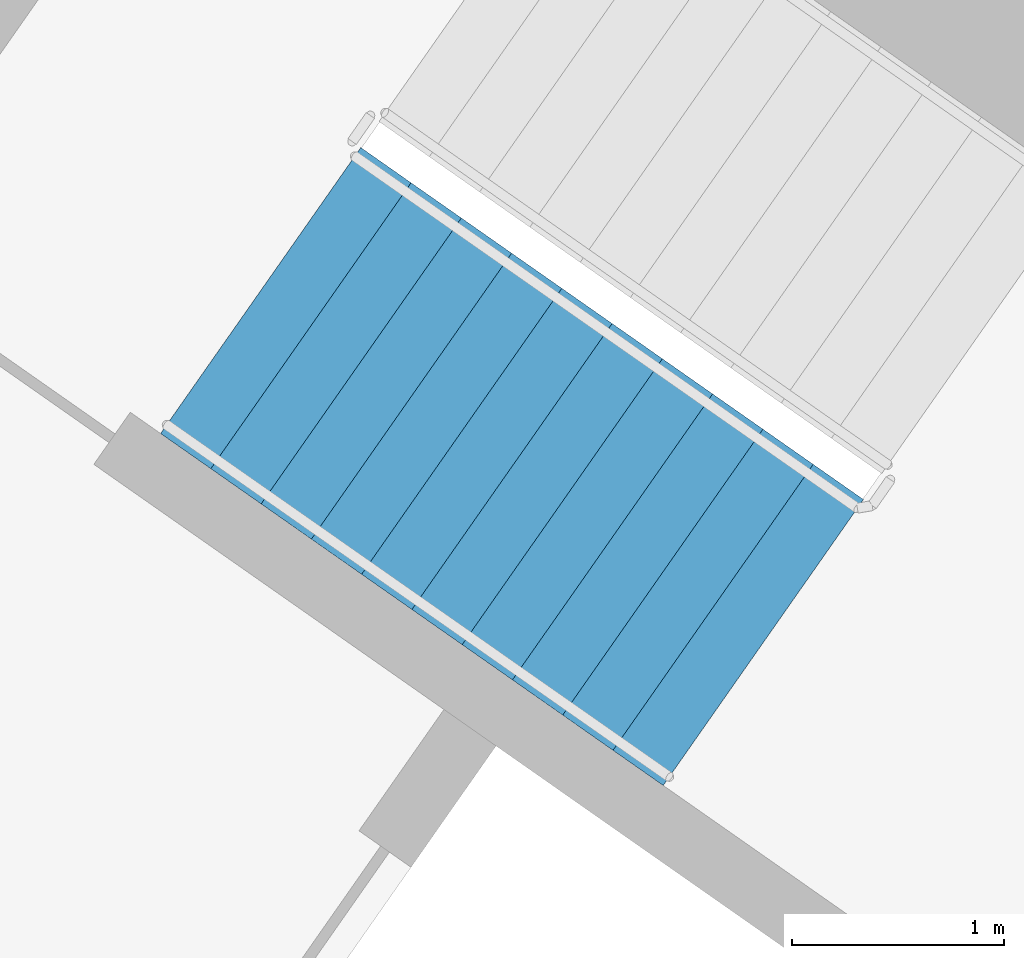
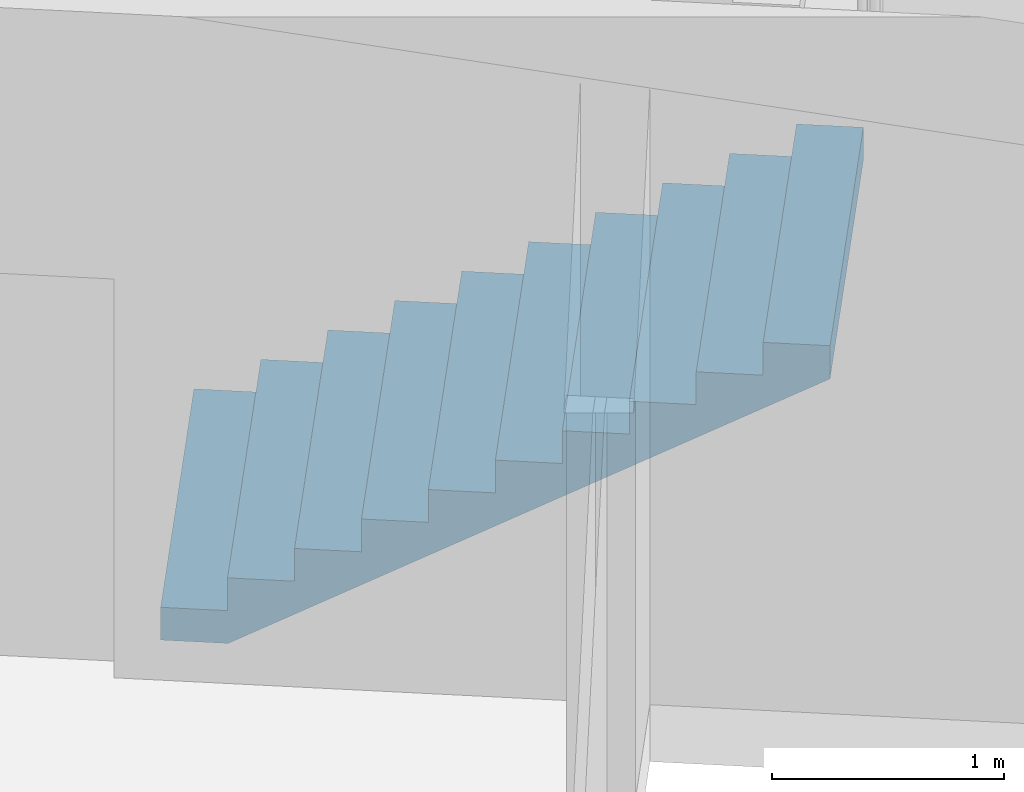
# One storey, part 12 of 31: 1 stair flight, 1 element without a shape of its own.
"""IFC4 building model written with IfcOpenShell, lengths in metres."""

from ifc_helpers import new_model, si_unit, direction, frame, origin, place, context, subcontext, project, spatial, faceted_brep, material, type_object, element, aggregate, save


model = new_model("IFC4")

# Units and contexts
model_context = context("Model", 3, precision=1e-05, world=origin(), true_north=direction((0.0, 1.0)))
body_context = subcontext(model_context, "Body", "Model", "MODEL_VIEW")
ifc_project = project(units=[si_unit("LENGTHUNIT", "METRE"), si_unit("AREAUNIT", "SQUARE_METRE"), si_unit("VOLUMEUNIT", "CUBIC_METRE"), si_unit("PLANEANGLEUNIT", "RADIAN"), si_unit("MASSUNIT", "GRAM", prefix="KILO")], contexts=[model_context])

# Site, building, storey
site_placement = place(None, origin())
site = spatial("IfcSite", under=ifc_project, at=site_placement, CompositionType="ELEMENT")
building_placement = place(site_placement, origin())
building = spatial("IfcBuilding", under=site, at=building_placement, Name="Qamariyya Broadcast Tower", CompositionType="ELEMENT")
storey_placement = place(building_placement, frame((0.0, 0.0, 51.89990234375)))
storey = spatial("IfcBuildingStorey", under=building, at=storey_placement, Name="L09", CompositionType="ELEMENT", Elevation=51.89990234375)

# Stair, stair flight
ifc_material = material(Name="Concrete C50/60", Category="concrete")
stair_type = type_object("IfcStairType", Name="Exit stair 22 risers of 173 mm", PredefinedType="HALF_TURN_STAIR", material=ifc_material)
stair_placement = place(storey_placement, origin())
stair = element("IfcStair", 1, at=stair_placement, inside=storey, type_object=stair_type, Name="L09 Stair W2", PredefinedType="HALF_TURN_STAIR")
stair_flight_type = type_object("IfcStairFlightType", Name="Exit stair flight 11 risers of 173 mm", PredefinedType="STRAIGHT", material=ifc_material)
stair_flight_placement = place(storey_placement, frame((-41.59130859375, -49.15966796875, 0.0), z_axis=(0.0, 0.0, 1.0), x_axis=(0.819152044289, -0.573576436351, 0.0)))
stair_flight = element("IfcStairFlight", 2, at=stair_flight_placement, type_object=stair_flight_type, Name="ST-W2 flight 1", NumberOfRisers=11, NumberOfTreads=10, PredefinedType="STRAIGHT", RiserHeight=0.172727273, TreadLength=0.29, context=body_context, shape_type="Brep", body=[
    faceted_brep([(0.0, 0.824951171875, 0.0), (0.0, 0.824951171875, 0.172607421875), (0.2900390625, 0.824951171875, 0.172607421875), (0.2900390625, 0.824951171875, 0.345458984375), (0.580078125, 0.824951171875, 0.345458984375), (0.580078125, 0.824951171875, 0.51806640625), (0.8701171875, 0.824951171875, 0.51806640625), (0.8701171875, 0.824951171875, 0.69091796875), (1.159912109375, 0.824951171875, 0.69091796875), (1.159912109375, 0.824951171875, 0.863525390625), (1.449951171875, 0.824951171875, 0.863525390625), (1.449951171875, 0.824951171875, 1.036376953125), (1.739990234375, 0.824951171875, 1.036376953125), (1.739990234375, 0.824951171875, 1.208984375), (2.030029296875, 0.824951171875, 1.208984375), (2.030029296875, 0.824951171875, 1.3818359375), (2.320068359375, 0.824951171875, 1.3818359375), (2.320068359375, 0.824951171875, 1.554443359375), (2.610107421875, 0.824951171875, 1.554443359375), (2.610107421875, 0.824951171875, 1.727294921875), (2.89990234375, 0.824951171875, 1.727294921875), (2.89990234375, 0.824951171875, 1.552734375), (0.29296875, 0.824951171875, 0.0), (0.29296875, -0.824951171875, 0.0), (2.89990234375, -0.824951171875, 1.552734375), (2.89990234375, -0.824951171875, 1.727294921875), (2.610107421875, -0.824951171875, 1.727294921875), (2.610107421875, -0.824951171875, 1.554443359375), (2.320068359375, -0.824951171875, 1.554443359375), (2.320068359375, -0.824951171875, 1.3818359375), (2.030029296875, -0.824951171875, 1.3818359375), (2.030029296875, -0.824951171875, 1.208984375), (1.739990234375, -0.824951171875, 1.208984375), (1.739990234375, -0.824951171875, 1.036376953125), (1.449951171875, -0.824951171875, 1.036376953125), (1.449951171875, -0.824951171875, 0.863525390625), (1.159912109375, -0.824951171875, 0.863525390625), (1.159912109375, -0.824951171875, 0.69091796875), (0.8701171875, -0.824951171875, 0.69091796875), (0.8701171875, -0.824951171875, 0.51806640625), (0.580078125, -0.824951171875, 0.51806640625), (0.580078125, -0.824951171875, 0.345458984375), (0.2900390625, -0.824951171875, 0.345458984375), (0.2900390625, -0.824951171875, 0.172607421875), (0.0, -0.824951171875, 0.172607421875), (0.0, -0.824951171875, 0.0), (0.0, 0.10009765625, 0.0), (0.0, 0.086669921875, 0.0), (0.0, 0.0732421875, 0.0), (0.0, 0.06005859375, 0.0), (0.0, 0.046630859375, 0.0), (0.0, 0.033447265625, 0.0), (0.0, 0.02001953125, 0.0), (0.0, 0.006591796875, 0.0), (0.0, -0.006591796875, 0.0), (0.0, -0.02001953125, 0.0), (0.0, -0.033447265625, 0.0), (0.0, -0.046630859375, 0.0), (0.0, -0.06005859375, 0.0), (0.0, -0.0732421875, 0.0), (0.0, -0.086669921875, 0.0), (0.0, -0.10009765625, 0.0), (0.0, -0.10009765625, 0.172607421875), (0.0, -0.086669921875, 0.172607421875), (0.0, -0.0732421875, 0.172607421875), (0.0, -0.06005859375, 0.172607421875), (0.0, -0.046630859375, 0.172607421875), (0.0, -0.033447265625, 0.172607421875), (0.0, -0.02001953125, 0.172607421875), (0.0, -0.006591796875, 0.172607421875), (0.0, 0.006591796875, 0.172607421875), (0.0, 0.02001953125, 0.172607421875), (0.0, 0.033447265625, 0.172607421875), (0.0, 0.046630859375, 0.172607421875), (0.0, 0.06005859375, 0.172607421875), (0.0, 0.0732421875, 0.172607421875), (0.0, 0.086669921875, 0.172607421875), (0.0, 0.10009765625, 0.172607421875), (0.2900390625, -0.10009765625, 0.172607421875), (0.2900390625, -0.086669921875, 0.172607421875), (0.2900390625, -0.0732421875, 0.172607421875), (0.2900390625, -0.06005859375, 0.172607421875), (0.2900390625, -0.046630859375, 0.172607421875), (0.2900390625, -0.033447265625, 0.172607421875), (0.2900390625, -0.02001953125, 0.172607421875), (0.2900390625, -0.006591796875, 0.172607421875), (0.2900390625, 0.006591796875, 0.172607421875), (0.2900390625, 0.02001953125, 0.172607421875), (0.2900390625, 0.033447265625, 0.172607421875), (0.2900390625, 0.046630859375, 0.172607421875), (0.2900390625, 0.06005859375, 0.172607421875), (0.2900390625, 0.0732421875, 0.172607421875), (0.2900390625, 0.086669921875, 0.172607421875), (0.2900390625, 0.10009765625, 0.172607421875), (0.2900390625, -0.10009765625, 0.345458984375), (0.2900390625, -0.086669921875, 0.345458984375), (0.2900390625, -0.0732421875, 0.345458984375), (0.2900390625, -0.06005859375, 0.345458984375), (0.2900390625, -0.046630859375, 0.345458984375), (0.2900390625, -0.033447265625, 0.345458984375), (0.2900390625, -0.02001953125, 0.345458984375), (0.2900390625, -0.006591796875, 0.345458984375), (0.2900390625, 0.006591796875, 0.345458984375), (0.2900390625, 0.02001953125, 0.345458984375), (0.2900390625, 0.033447265625, 0.345458984375), (0.2900390625, 0.046630859375, 0.345458984375), (0.2900390625, 0.06005859375, 0.345458984375), (0.2900390625, 0.0732421875, 0.345458984375), (0.2900390625, 0.086669921875, 0.345458984375), (0.2900390625, 0.10009765625, 0.345458984375), (0.580078125, -0.10009765625, 0.345458984375), (0.580078125, -0.086669921875, 0.345458984375), (0.580078125, -0.0732421875, 0.345458984375), (0.580078125, -0.06005859375, 0.345458984375), (0.580078125, -0.046630859375, 0.345458984375), (0.580078125, -0.033447265625, 0.345458984375), (0.580078125, -0.02001953125, 0.345458984375), (0.580078125, -0.006591796875, 0.345458984375), (0.580078125, 0.006591796875, 0.345458984375), (0.580078125, 0.02001953125, 0.345458984375), (0.580078125, 0.033447265625, 0.345458984375), (0.580078125, 0.046630859375, 0.345458984375), (0.580078125, 0.06005859375, 0.345458984375), (0.580078125, 0.0732421875, 0.345458984375), (0.580078125, 0.086669921875, 0.345458984375), (0.580078125, 0.10009765625, 0.345458984375), (0.580078125, -0.10009765625, 0.51806640625), (0.580078125, -0.086669921875, 0.51806640625), (0.580078125, -0.0732421875, 0.51806640625), (0.580078125, -0.06005859375, 0.51806640625), (0.580078125, -0.046630859375, 0.51806640625), (0.580078125, -0.033447265625, 0.51806640625), (0.580078125, -0.02001953125, 0.51806640625), (0.580078125, -0.006591796875, 0.51806640625), (0.580078125, 0.006591796875, 0.51806640625), (0.580078125, 0.02001953125, 0.51806640625), (0.580078125, 0.033447265625, 0.51806640625), (0.580078125, 0.046630859375, 0.51806640625), (0.580078125, 0.06005859375, 0.51806640625), (0.580078125, 0.0732421875, 0.51806640625), (0.580078125, 0.086669921875, 0.51806640625), (0.580078125, 0.10009765625, 0.51806640625), (0.8701171875, -0.10009765625, 0.51806640625), (0.8701171875, -0.086669921875, 0.51806640625), (0.8701171875, -0.0732421875, 0.51806640625), (0.8701171875, -0.06005859375, 0.51806640625), (0.8701171875, -0.046630859375, 0.51806640625), (0.8701171875, -0.033447265625, 0.51806640625), (0.8701171875, -0.02001953125, 0.51806640625), (0.8701171875, -0.006591796875, 0.51806640625), (0.8701171875, 0.006591796875, 0.51806640625), (0.8701171875, 0.02001953125, 0.51806640625), (0.8701171875, 0.033447265625, 0.51806640625), (0.8701171875, 0.046630859375, 0.51806640625), (0.8701171875, 0.06005859375, 0.51806640625), (0.8701171875, 0.0732421875, 0.51806640625), (0.8701171875, 0.086669921875, 0.51806640625), (0.8701171875, 0.10009765625, 0.51806640625), (0.8701171875, -0.10009765625, 0.69091796875), (0.8701171875, -0.086669921875, 0.69091796875), (0.8701171875, -0.0732421875, 0.69091796875), (0.8701171875, -0.06005859375, 0.69091796875), (0.8701171875, -0.046630859375, 0.69091796875), (0.8701171875, -0.033447265625, 0.69091796875), (0.8701171875, -0.02001953125, 0.69091796875), (0.8701171875, -0.006591796875, 0.69091796875), (0.8701171875, 0.006591796875, 0.69091796875), (0.8701171875, 0.02001953125, 0.69091796875), (0.8701171875, 0.033447265625, 0.69091796875), (0.8701171875, 0.046630859375, 0.69091796875), (0.8701171875, 0.06005859375, 0.69091796875), (0.8701171875, 0.0732421875, 0.69091796875), (0.8701171875, 0.086669921875, 0.69091796875), (0.8701171875, 0.10009765625, 0.69091796875), (1.159912109375, -0.10009765625, 0.69091796875), (1.159912109375, -0.086669921875, 0.69091796875), (1.159912109375, -0.0732421875, 0.69091796875), (1.159912109375, -0.06005859375, 0.69091796875), (1.159912109375, -0.046630859375, 0.69091796875), (1.159912109375, -0.033447265625, 0.69091796875), (1.159912109375, -0.02001953125, 0.69091796875), (1.159912109375, -0.006591796875, 0.69091796875), (1.159912109375, 0.006591796875, 0.69091796875), (1.159912109375, 0.02001953125, 0.69091796875), (1.159912109375, 0.033447265625, 0.69091796875), (1.159912109375, 0.046630859375, 0.69091796875), (1.159912109375, 0.06005859375, 0.69091796875), (1.159912109375, 0.0732421875, 0.69091796875), (1.159912109375, 0.086669921875, 0.69091796875), (1.159912109375, 0.10009765625, 0.69091796875), (1.159912109375, -0.10009765625, 0.863525390625), (1.159912109375, -0.086669921875, 0.863525390625), (1.159912109375, -0.0732421875, 0.863525390625), (1.159912109375, -0.06005859375, 0.863525390625), (1.159912109375, -0.046630859375, 0.863525390625), (1.159912109375, -0.033447265625, 0.863525390625), (1.159912109375, -0.02001953125, 0.863525390625), (1.159912109375, -0.006591796875, 0.863525390625), (1.159912109375, 0.006591796875, 0.863525390625), (1.159912109375, 0.02001953125, 0.863525390625), (1.159912109375, 0.033447265625, 0.863525390625), (1.159912109375, 0.046630859375, 0.863525390625), (1.159912109375, 0.06005859375, 0.863525390625), (1.159912109375, 0.0732421875, 0.863525390625), (1.159912109375, 0.086669921875, 0.863525390625), (1.159912109375, 0.10009765625, 0.863525390625), (1.449951171875, -0.10009765625, 0.863525390625), (1.449951171875, -0.086669921875, 0.863525390625), (1.449951171875, -0.0732421875, 0.863525390625), (1.449951171875, -0.06005859375, 0.863525390625), (1.449951171875, -0.046630859375, 0.863525390625), (1.449951171875, -0.033447265625, 0.863525390625), (1.449951171875, -0.02001953125, 0.863525390625), (1.449951171875, -0.006591796875, 0.863525390625), (1.449951171875, 0.006591796875, 0.863525390625), (1.449951171875, 0.02001953125, 0.863525390625), (1.449951171875, 0.033447265625, 0.863525390625), (1.449951171875, 0.046630859375, 0.863525390625), (1.449951171875, 0.06005859375, 0.863525390625), (1.449951171875, 0.0732421875, 0.863525390625), (1.449951171875, 0.086669921875, 0.863525390625), (1.449951171875, 0.10009765625, 0.863525390625), (1.449951171875, -0.10009765625, 1.036376953125), (1.449951171875, -0.086669921875, 1.036376953125), (1.449951171875, -0.0732421875, 1.036376953125), (1.449951171875, -0.06005859375, 1.036376953125), (1.449951171875, -0.046630859375, 1.036376953125), (1.449951171875, -0.033447265625, 1.036376953125), (1.449951171875, -0.02001953125, 1.036376953125), (1.449951171875, -0.006591796875, 1.036376953125), (1.449951171875, 0.006591796875, 1.036376953125), (1.449951171875, 0.02001953125, 1.036376953125), (1.449951171875, 0.033447265625, 1.036376953125), (1.449951171875, 0.046630859375, 1.036376953125), (1.449951171875, 0.06005859375, 1.036376953125), (1.449951171875, 0.0732421875, 1.036376953125), (1.449951171875, 0.086669921875, 1.036376953125), (1.449951171875, 0.10009765625, 1.036376953125), (1.739990234375, -0.10009765625, 1.036376953125), (1.739990234375, -0.086669921875, 1.036376953125), (1.739990234375, -0.0732421875, 1.036376953125), (1.739990234375, -0.06005859375, 1.036376953125), (1.739990234375, -0.046630859375, 1.036376953125), (1.739990234375, -0.033447265625, 1.036376953125), (1.739990234375, -0.02001953125, 1.036376953125), (1.739990234375, -0.006591796875, 1.036376953125), (1.739990234375, 0.006591796875, 1.036376953125), (1.739990234375, 0.02001953125, 1.036376953125), (1.739990234375, 0.033447265625, 1.036376953125), (1.739990234375, 0.046630859375, 1.036376953125), (1.739990234375, 0.06005859375, 1.036376953125), (1.739990234375, 0.0732421875, 1.036376953125), (1.739990234375, 0.086669921875, 1.036376953125), (1.739990234375, 0.10009765625, 1.036376953125), (1.739990234375, -0.10009765625, 1.208984375), (1.739990234375, -0.086669921875, 1.208984375), (1.739990234375, -0.0732421875, 1.208984375), (1.739990234375, -0.06005859375, 1.208984375), (1.739990234375, -0.046630859375, 1.208984375), (1.739990234375, -0.033447265625, 1.208984375), (1.739990234375, -0.02001953125, 1.208984375), (1.739990234375, -0.006591796875, 1.208984375), (1.739990234375, 0.006591796875, 1.208984375), (1.739990234375, 0.02001953125, 1.208984375), (1.739990234375, 0.033447265625, 1.208984375), (1.739990234375, 0.046630859375, 1.208984375), (1.739990234375, 0.06005859375, 1.208984375), (1.739990234375, 0.0732421875, 1.208984375), (1.739990234375, 0.086669921875, 1.208984375), (1.739990234375, 0.10009765625, 1.208984375), (2.030029296875, -0.10009765625, 1.208984375), (2.030029296875, -0.086669921875, 1.208984375), (2.030029296875, -0.0732421875, 1.208984375), (2.030029296875, -0.06005859375, 1.208984375), (2.030029296875, -0.046630859375, 1.208984375), (2.030029296875, -0.033447265625, 1.208984375), (2.030029296875, -0.02001953125, 1.208984375), (2.030029296875, -0.006591796875, 1.208984375), (2.030029296875, 0.006591796875, 1.208984375), (2.030029296875, 0.02001953125, 1.208984375), (2.030029296875, 0.033447265625, 1.208984375), (2.030029296875, 0.046630859375, 1.208984375), (2.030029296875, 0.06005859375, 1.208984375), (2.030029296875, 0.0732421875, 1.208984375), (2.030029296875, 0.086669921875, 1.208984375), (2.030029296875, 0.10009765625, 1.208984375), (2.030029296875, -0.10009765625, 1.3818359375), (2.030029296875, -0.086669921875, 1.3818359375), (2.030029296875, -0.0732421875, 1.3818359375), (2.030029296875, -0.06005859375, 1.3818359375), (2.030029296875, -0.046630859375, 1.3818359375), (2.030029296875, -0.033447265625, 1.3818359375), (2.030029296875, -0.02001953125, 1.3818359375), (2.030029296875, -0.006591796875, 1.3818359375), (2.030029296875, 0.006591796875, 1.3818359375), (2.030029296875, 0.02001953125, 1.3818359375), (2.030029296875, 0.033447265625, 1.3818359375), (2.030029296875, 0.046630859375, 1.3818359375), (2.030029296875, 0.06005859375, 1.3818359375), (2.030029296875, 0.0732421875, 1.3818359375), (2.030029296875, 0.086669921875, 1.3818359375), (2.030029296875, 0.10009765625, 1.3818359375), (2.320068359375, -0.10009765625, 1.3818359375), (2.320068359375, -0.086669921875, 1.3818359375), (2.320068359375, -0.0732421875, 1.3818359375), (2.320068359375, -0.06005859375, 1.3818359375), (2.320068359375, -0.046630859375, 1.3818359375), (2.320068359375, -0.033447265625, 1.3818359375), (2.320068359375, -0.02001953125, 1.3818359375), (2.320068359375, -0.006591796875, 1.3818359375), (2.320068359375, 0.006591796875, 1.3818359375), (2.320068359375, 0.02001953125, 1.3818359375), (2.320068359375, 0.033447265625, 1.3818359375), (2.320068359375, 0.046630859375, 1.3818359375), (2.320068359375, 0.06005859375, 1.3818359375), (2.320068359375, 0.0732421875, 1.3818359375), (2.320068359375, 0.086669921875, 1.3818359375), (2.320068359375, 0.10009765625, 1.3818359375), (2.320068359375, -0.10009765625, 1.554443359375), (2.320068359375, -0.086669921875, 1.554443359375), (2.320068359375, -0.0732421875, 1.554443359375), (2.320068359375, -0.06005859375, 1.554443359375), (2.320068359375, -0.046630859375, 1.554443359375), (2.320068359375, -0.033447265625, 1.554443359375), (2.320068359375, -0.02001953125, 1.554443359375), (2.320068359375, -0.006591796875, 1.554443359375), (2.320068359375, 0.006591796875, 1.554443359375), (2.320068359375, 0.02001953125, 1.554443359375), (2.320068359375, 0.033447265625, 1.554443359375), (2.320068359375, 0.046630859375, 1.554443359375), (2.320068359375, 0.06005859375, 1.554443359375), (2.320068359375, 0.0732421875, 1.554443359375), (2.320068359375, 0.086669921875, 1.554443359375), (2.320068359375, 0.10009765625, 1.554443359375), (2.610107421875, -0.10009765625, 1.554443359375), (2.610107421875, -0.086669921875, 1.554443359375), (2.610107421875, -0.0732421875, 1.554443359375), (2.610107421875, -0.06005859375, 1.554443359375), (2.610107421875, -0.046630859375, 1.554443359375), (2.610107421875, -0.033447265625, 1.554443359375), (2.610107421875, -0.02001953125, 1.554443359375), (2.610107421875, -0.006591796875, 1.554443359375), (2.610107421875, 0.006591796875, 1.554443359375), (2.610107421875, 0.02001953125, 1.554443359375), (2.610107421875, 0.033447265625, 1.554443359375), (2.610107421875, 0.046630859375, 1.554443359375), (2.610107421875, 0.06005859375, 1.554443359375), (2.610107421875, 0.0732421875, 1.554443359375), (2.610107421875, 0.086669921875, 1.554443359375), (2.610107421875, 0.10009765625, 1.554443359375), (2.610107421875, -0.10009765625, 1.727294921875), (2.610107421875, -0.086669921875, 1.727294921875), (2.610107421875, -0.0732421875, 1.727294921875), (2.610107421875, -0.06005859375, 1.727294921875), (2.610107421875, -0.046630859375, 1.727294921875), (2.610107421875, -0.033447265625, 1.727294921875), (2.610107421875, -0.02001953125, 1.727294921875), (2.610107421875, -0.006591796875, 1.727294921875), (2.610107421875, 0.006591796875, 1.727294921875), (2.610107421875, 0.02001953125, 1.727294921875), (2.610107421875, 0.033447265625, 1.727294921875), (2.610107421875, 0.046630859375, 1.727294921875), (2.610107421875, 0.06005859375, 1.727294921875), (2.610107421875, 0.0732421875, 1.727294921875), (2.610107421875, 0.086669921875, 1.727294921875), (2.610107421875, 0.10009765625, 1.727294921875), (2.89990234375, -0.10009765625, 1.727294921875), (2.89990234375, -0.086669921875, 1.727294921875), (2.89990234375, -0.0732421875, 1.727294921875), (2.89990234375, -0.06005859375, 1.727294921875), (2.89990234375, -0.046630859375, 1.727294921875), (2.89990234375, -0.033447265625, 1.727294921875), (2.89990234375, -0.02001953125, 1.727294921875), (2.89990234375, -0.006591796875, 1.727294921875), (2.89990234375, 0.006591796875, 1.727294921875), (2.89990234375, 0.02001953125, 1.727294921875), (2.89990234375, 0.033447265625, 1.727294921875), (2.89990234375, 0.046630859375, 1.727294921875), (2.89990234375, 0.06005859375, 1.727294921875), (2.89990234375, 0.0732421875, 1.727294921875), (2.89990234375, 0.086669921875, 1.727294921875), (2.89990234375, 0.10009765625, 1.727294921875), (2.89990234375, -0.10009765625, 1.552734375), (2.89990234375, -0.086669921875, 1.552734375), (2.89990234375, -0.0732421875, 1.552734375), (2.89990234375, -0.06005859375, 1.552734375), (2.89990234375, -0.046630859375, 1.552734375), (2.89990234375, -0.033447265625, 1.552734375), (2.89990234375, -0.02001953125, 1.552734375), (2.89990234375, -0.006591796875, 1.552734375), (2.89990234375, 0.006591796875, 1.552734375), (2.89990234375, 0.02001953125, 1.552734375), (2.89990234375, 0.033447265625, 1.552734375), (2.89990234375, 0.046630859375, 1.552734375), (2.89990234375, 0.06005859375, 1.552734375), (2.89990234375, 0.0732421875, 1.552734375), (2.89990234375, 0.086669921875, 1.552734375), (2.89990234375, 0.10009765625, 1.552734375), (0.29296875, -0.10009765625, 0.0), (0.29296875, -0.086669921875, 0.0), (0.29296875, -0.0732421875, 0.0), (0.29296875, -0.06005859375, 0.0), (0.29296875, -0.046630859375, 0.0), (0.29296875, -0.033447265625, 0.0), (0.29296875, -0.02001953125, 0.0), (0.29296875, -0.006591796875, 0.0), (0.29296875, 0.006591796875, 0.0), (0.29296875, 0.02001953125, 0.0), (0.29296875, 0.033447265625, 0.0), (0.29296875, 0.046630859375, 0.0), (0.29296875, 0.06005859375, 0.0), (0.29296875, 0.0732421875, 0.0), (0.29296875, 0.086669921875, 0.0), (0.29296875, 0.10009765625, 0.0)], [[[0, 1, 2, 3, 4, 5, 6, 7, 8, 9, 10, 11, 12, 13, 14, 15, 16, 17, 18, 19, 20, 21, 22]], [[23, 24, 25, 26, 27, 28, 29, 30, 31, 32, 33, 34, 35, 36, 37, 38, 39, 40, 41, 42, 43, 44, 45]], [[0, 46, 47, 48, 49, 50, 51, 52, 53, 54, 55, 56, 57, 58, 59, 60, 61, 45, 44, 62, 63, 64, 65, 66, 67, 68, 69, 70, 71, 72, 73, 74, 75, 76, 77, 1]], [[1, 77, 76, 75, 74, 73, 72, 71, 70, 69, 68, 67, 66, 65, 64, 63, 62, 44, 43, 78, 79, 80, 81, 82, 83, 84, 85, 86, 87, 88, 89, 90, 91, 92, 93, 2]], [[2, 93, 92, 91, 90, 89, 88, 87, 86, 85, 84, 83, 82, 81, 80, 79, 78, 43, 42, 94, 95, 96, 97, 98, 99, 100, 101, 102, 103, 104, 105, 106, 107, 108, 109, 3]], [[3, 109, 108, 107, 106, 105, 104, 103, 102, 101, 100, 99, 98, 97, 96, 95, 94, 42, 41, 110, 111, 112, 113, 114, 115, 116, 117, 118, 119, 120, 121, 122, 123, 124, 125, 4]], [[4, 125, 124, 123, 122, 121, 120, 119, 118, 117, 116, 115, 114, 113, 112, 111, 110, 41, 40, 126, 127, 128, 129, 130, 131, 132, 133, 134, 135, 136, 137, 138, 139, 140, 141, 5]], [[5, 141, 140, 139, 138, 137, 136, 135, 134, 133, 132, 131, 130, 129, 128, 127, 126, 40, 39, 142, 143, 144, 145, 146, 147, 148, 149, 150, 151, 152, 153, 154, 155, 156, 157, 6]], [[6, 157, 156, 155, 154, 153, 152, 151, 150, 149, 148, 147, 146, 145, 144, 143, 142, 39, 38, 158, 159, 160, 161, 162, 163, 164, 165, 166, 167, 168, 169, 170, 171, 172, 173, 7]], [[7, 173, 172, 171, 170, 169, 168, 167, 166, 165, 164, 163, 162, 161, 160, 159, 158, 38, 37, 174, 175, 176, 177, 178, 179, 180, 181, 182, 183, 184, 185, 186, 187, 188, 189, 8]], [[8, 189, 188, 187, 186, 185, 184, 183, 182, 181, 180, 179, 178, 177, 176, 175, 174, 37, 36, 190, 191, 192, 193, 194, 195, 196, 197, 198, 199, 200, 201, 202, 203, 204, 205, 9]], [[9, 205, 204, 203, 202, 201, 200, 199, 198, 197, 196, 195, 194, 193, 192, 191, 190, 36, 35, 206, 207, 208, 209, 210, 211, 212, 213, 214, 215, 216, 217, 218, 219, 220, 221, 10]], [[10, 221, 220, 219, 218, 217, 216, 215, 214, 213, 212, 211, 210, 209, 208, 207, 206, 35, 34, 222, 223, 224, 225, 226, 227, 228, 229, 230, 231, 232, 233, 234, 235, 236, 237, 11]], [[11, 237, 236, 235, 234, 233, 232, 231, 230, 229, 228, 227, 226, 225, 224, 223, 222, 34, 33, 238, 239, 240, 241, 242, 243, 244, 245, 246, 247, 248, 249, 250, 251, 252, 253, 12]], [[12, 253, 252, 251, 250, 249, 248, 247, 246, 245, 244, 243, 242, 241, 240, 239, 238, 33, 32, 254, 255, 256, 257, 258, 259, 260, 261, 262, 263, 264, 265, 266, 267, 268, 269, 13]], [[13, 269, 268, 267, 266, 265, 264, 263, 262, 261, 260, 259, 258, 257, 256, 255, 254, 32, 31, 270, 271, 272, 273, 274, 275, 276, 277, 278, 279, 280, 281, 282, 283, 284, 285, 14]], [[14, 285, 284, 283, 282, 281, 280, 279, 278, 277, 276, 275, 274, 273, 272, 271, 270, 31, 30, 286, 287, 288, 289, 290, 291, 292, 293, 294, 295, 296, 297, 298, 299, 300, 301, 15]], [[15, 301, 300, 299, 298, 297, 296, 295, 294, 293, 292, 291, 290, 289, 288, 287, 286, 30, 29, 302, 303, 304, 305, 306, 307, 308, 309, 310, 311, 312, 313, 314, 315, 316, 317, 16]], [[16, 317, 316, 315, 314, 313, 312, 311, 310, 309, 308, 307, 306, 305, 304, 303, 302, 29, 28, 318, 319, 320, 321, 322, 323, 324, 325, 326, 327, 328, 329, 330, 331, 332, 333, 17]], [[17, 333, 332, 331, 330, 329, 328, 327, 326, 325, 324, 323, 322, 321, 320, 319, 318, 28, 27, 334, 335, 336, 337, 338, 339, 340, 341, 342, 343, 344, 345, 346, 347, 348, 349, 18]], [[18, 349, 348, 347, 346, 345, 344, 343, 342, 341, 340, 339, 338, 337, 336, 335, 334, 27, 26, 350, 351, 352, 353, 354, 355, 356, 357, 358, 359, 360, 361, 362, 363, 364, 365, 19]], [[19, 365, 364, 363, 362, 361, 360, 359, 358, 357, 356, 355, 354, 353, 352, 351, 350, 26, 25, 366, 367, 368, 369, 370, 371, 372, 373, 374, 375, 376, 377, 378, 379, 380, 381, 20]], [[20, 381, 380, 379, 378, 377, 376, 375, 374, 373, 372, 371, 370, 369, 368, 367, 366, 25, 24, 382, 383, 384, 385, 386, 387, 388, 389, 390, 391, 392, 393, 394, 395, 396, 397, 21]], [[21, 397, 396, 395, 394, 393, 392, 391, 390, 389, 388, 387, 386, 385, 384, 383, 382, 24, 23, 398, 399, 400, 401, 402, 403, 404, 405, 406, 407, 408, 409, 410, 411, 412, 413, 22]], [[22, 413, 412, 411, 410, 409, 408, 407, 406, 405, 404, 403, 402, 401, 400, 399, 398, 23, 45, 61, 60, 59, 58, 57, 56, 55, 54, 53, 52, 51, 50, 49, 48, 47, 46, 0]]]),
])
aggregate(stair, [stair_flight])

save(model, "model.ifc")
